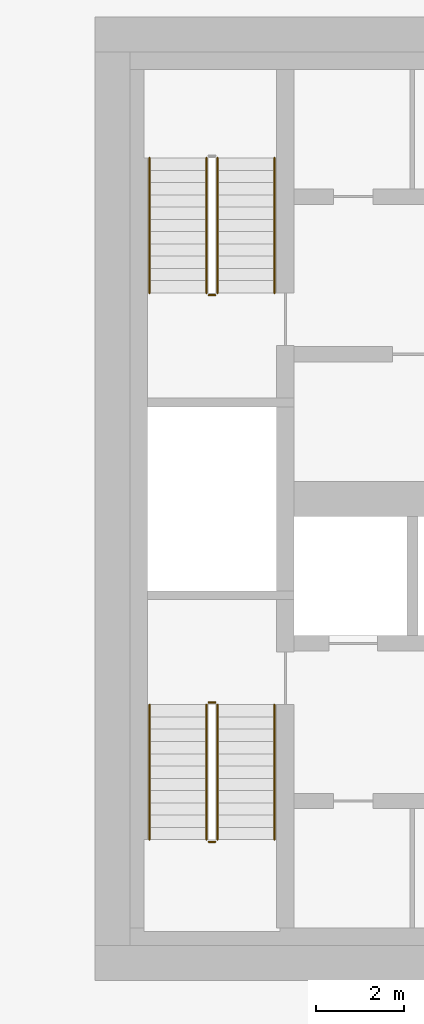
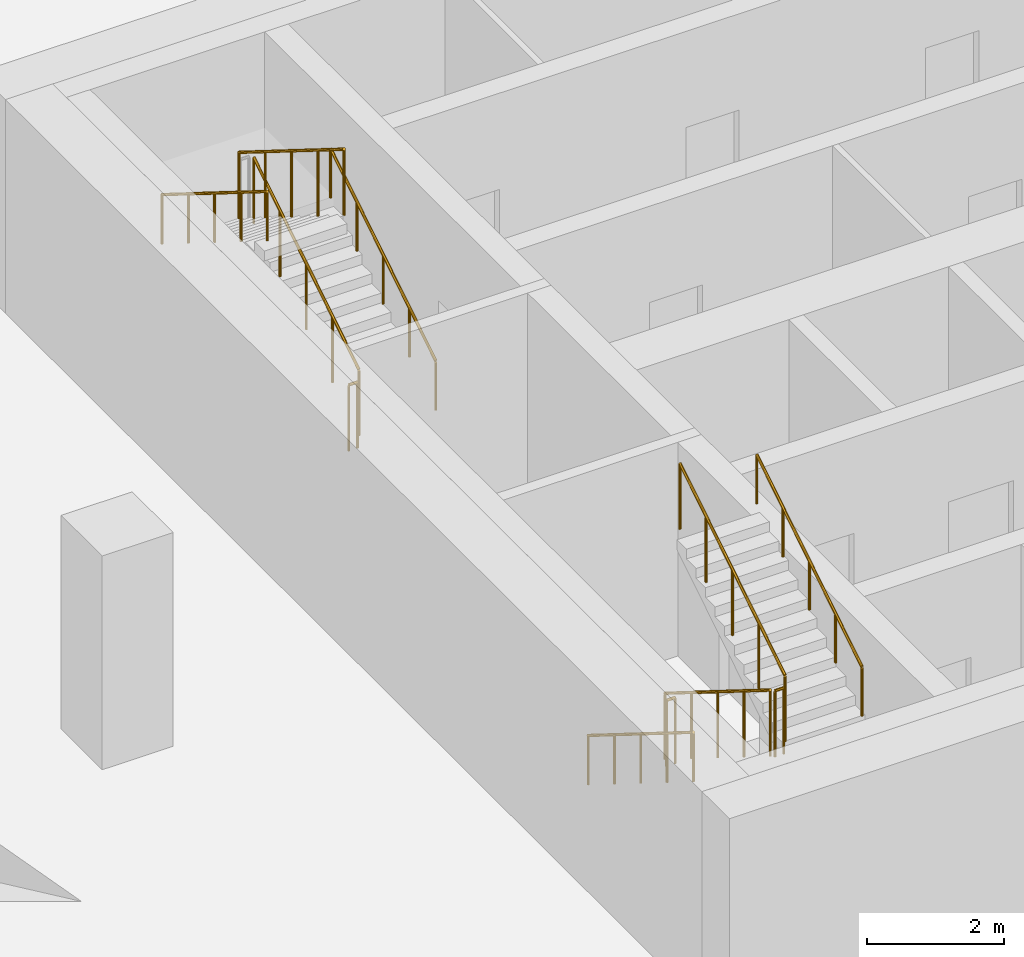
# One storey, part 16 of 19: 11 railings.
"""IFC4 building model written with IfcOpenShell, lengths in metres."""

from ifc_helpers import new_model, si_unit, direction, frame, origin, origin_2d, place, context, subcontext, project, spatial, circle, extrude, material, type_object, element, save


model = new_model("IFC4")

# Units and contexts
model_context = context("Model", 3, precision=1e-05, world=origin(), true_north=direction((0.0, 1.0)))
body_context = subcontext(model_context, "Body", "Model", "MODEL_VIEW")
ifc_project = project(units=[si_unit("LENGTHUNIT", "METRE"), si_unit("AREAUNIT", "SQUARE_METRE"), si_unit("VOLUMEUNIT", "CUBIC_METRE"), si_unit("PLANEANGLEUNIT", "RADIAN"), si_unit("MASSUNIT", "GRAM", prefix="KILO")], contexts=[model_context])

# Site, building, storey
site_placement = place(None, origin())
site = spatial("IfcSite", under=ifc_project, at=site_placement, CompositionType="ELEMENT")
building_placement = place(site_placement, origin())
building = spatial("IfcBuilding", under=site, at=building_placement, Name="Dongbaek Canopy Tower", CompositionType="ELEMENT")
storey_placement = place(building_placement, frame((0.0, 0.0, 207.199951171875)))
storey = spatial("IfcBuildingStorey", under=building, at=storey_placement, Name="L43", CompositionType="ELEMENT", Elevation=207.199951171875)

# Railings
ifc_material_1 = material(Name="Stainless steel tube and balusters", Category="steel")
railing_type_1 = type_object("IfcRailingType", Name="Stair guard 1200", PredefinedType="GUARDRAIL", material=ifc_material_1)
railing_1_placement = place(storey_placement, frame((-11.199951171875, 4.699951171875, 0.175048828125)))
element("IfcRailing", 1, at=railing_1_placement, inside=storey, type_object=railing_type_1, Name="L43 ST-C stair guard 1", PredefinedType="GUARDRAIL", context=body_context, shape_type="SweptSolid", body=[
    extrude(circle(Radius=0.02392578125, at=origin_2d()), frame((0.0, 0.0, 1.17578125), z_axis=(0.0, 0.847998304005, 0.529998940003), x_axis=(-1.0, 0.0, 0.0)), (0.0, 0.0, 1.0), 3.632080078125),
    extrude(circle(Radius=0.02099609375, at=origin_2d()), origin(), (0.0, 0.0, 1.0), 1.15185546875),
    extrude(circle(Radius=0.02099609375, at=origin_2d()), frame((0.0, 0.77001953125, 0.481201171875)), (0.0, 0.0, 1.0), 1.15185546875),
    extrude(circle(Radius=0.02099609375, at=origin_2d()), frame((0.0, 1.5400390625, 0.96240234375)), (0.0, 0.0, 1.0), 1.15185546875),
    extrude(circle(Radius=0.02099609375, at=origin_2d()), frame((0.0, 2.31005859375, 1.44384765625)), (0.0, 0.0, 1.0), 1.15185546875),
    extrude(circle(Radius=0.02099609375, at=origin_2d()), frame((0.0, 3.080078125, 1.925048828125)), (0.0, 0.0, 1.0), 1.15185546875),
])
railing_2_placement = place(storey_placement, frame((-11.449951171875, 7.780029296875, 2.275146484375)))
element("IfcRailing", 2, at=railing_2_placement, inside=storey, type_object=railing_type_1, Name="L43 ST-C stair guard 3", PredefinedType="GUARDRAIL", context=body_context, shape_type="SweptSolid", body=[
    extrude(circle(Radius=0.02392578125, at=origin_2d()), frame((0.0, 0.0, 1.17578125), z_axis=(0.0, -0.848028513186, 0.529950602248), x_axis=(1.0, 0.0, 0.0)), (0.0, 0.0, 1.0), 3.632080078125),
    extrude(circle(Radius=0.02099609375, at=origin_2d()), origin(), (0.0, 0.0, 1.0), 1.15185546875),
    extrude(circle(Radius=0.02099609375, at=origin_2d()), frame((0.0, -0.77001953125, 0.481201171875)), (0.0, 0.0, 1.0), 1.15185546875),
    extrude(circle(Radius=0.02099609375, at=origin_2d()), frame((0.0, -1.5400390625, 0.96240234375)), (0.0, 0.0, 1.0), 1.15185546875),
    extrude(circle(Radius=0.02099609375, at=origin_2d()), frame((0.0, -2.31005859375, 1.443603515625)), (0.0, 0.0, 1.0), 1.15185546875),
    extrude(circle(Radius=0.02099609375, at=origin_2d()), frame((0.0, -3.080078125, 1.9248046875)), (0.0, 0.0, 1.0), 1.15185546875),
])
railing_3_placement = place(storey_placement, frame((-11.25, 4.64990234375, 0.0)))
element("IfcRailing", 3, at=railing_3_placement, inside=storey, type_object=railing_type_1, Name="L43 ST-C stair guard 4", PredefinedType="GUARDRAIL", context=body_context, shape_type="SweptSolid", body=[
    extrude(circle(Radius=0.02392578125, at=origin_2d()), frame((0.0, 0.0, 1.17578125), z_axis=(-1.0, 0.0, 0.0), x_axis=(0.0, -1.0, 0.0)), (0.0, 0.0, 1.0), 0.14990234375),
    extrude(circle(Radius=0.02099609375, at=origin_2d()), origin(), (0.0, 0.0, 1.0), 1.15185546875),
    extrude(circle(Radius=0.02099609375, at=origin_2d()), frame((-0.14990234375, 0.0, 0.0)), (0.0, 0.0, 1.0), 1.15185546875),
])
railing_4_placement = place(storey_placement, frame((-11.449951171875, -4.699951171875, 0.175048828125)))
element("IfcRailing", 4, at=railing_4_placement, inside=storey, type_object=railing_type_1, Name="L43 ST-D stair guard 1", PredefinedType="GUARDRAIL", context=body_context, shape_type="SweptSolid", body=[
    extrude(circle(Radius=0.02392578125, at=origin_2d()), frame((0.0, 0.0, 1.17578125), z_axis=(0.0, -0.847998304005, 0.529998940003), x_axis=(1.0, 0.0, 0.0)), (0.0, 0.0, 1.0), 3.632080078125),
    extrude(circle(Radius=0.02099609375, at=origin_2d()), origin(), (0.0, 0.0, 1.0), 1.15185546875),
    extrude(circle(Radius=0.02099609375, at=origin_2d()), frame((0.0, -0.77001953125, 0.481201171875)), (0.0, 0.0, 1.0), 1.15185546875),
    extrude(circle(Radius=0.02099609375, at=origin_2d()), frame((0.0, -1.5400390625, 0.96240234375)), (0.0, 0.0, 1.0), 1.15185546875),
    extrude(circle(Radius=0.02099609375, at=origin_2d()), frame((0.0, -2.31005859375, 1.44384765625)), (0.0, 0.0, 1.0), 1.15185546875),
    extrude(circle(Radius=0.02099609375, at=origin_2d()), frame((0.0, -3.080078125, 1.925048828125)), (0.0, 0.0, 1.0), 1.15185546875),
])
railing_5_placement = place(storey_placement, frame((-11.39990234375, -7.830078125, 2.10009765625)))
element("IfcRailing", 5, at=railing_5_placement, inside=storey, type_object=railing_type_1, Name="L43 ST-D stair guard 2", PredefinedType="GUARDRAIL", context=body_context, shape_type="SweptSolid", body=[
    extrude(circle(Radius=0.02392578125, at=origin_2d()), frame((0.0, 0.0, 1.17578125), z_axis=(1.0, 0.0, 0.0), x_axis=(0.0, 1.0, 0.0)), (0.0, 0.0, 1.0), 0.14990234375),
    extrude(circle(Radius=0.02099609375, at=origin_2d()), origin(), (0.0, 0.0, 1.0), 1.15185546875),
    extrude(circle(Radius=0.02099609375, at=origin_2d()), frame((0.14990234375, 0.0, 0.0)), (0.0, 0.0, 1.0), 1.15185546875),
])
railing_6_placement = place(storey_placement, frame((-11.199951171875, -7.780029296875, 2.275146484375)))
element("IfcRailing", 6, at=railing_6_placement, inside=storey, type_object=railing_type_1, Name="L43 ST-D stair guard 3", PredefinedType="GUARDRAIL", context=body_context, shape_type="SweptSolid", body=[
    extrude(circle(Radius=0.02392578125, at=origin_2d()), frame((0.0, 0.0, 1.17578125), z_axis=(0.0, 0.848028513186, 0.529950602248), x_axis=(-1.0, 0.0, 0.0)), (0.0, 0.0, 1.0), 3.632080078125),
    extrude(circle(Radius=0.02099609375, at=origin_2d()), origin(), (0.0, 0.0, 1.0), 1.15185546875),
    extrude(circle(Radius=0.02099609375, at=origin_2d()), frame((0.0, 0.77001953125, 0.481201171875)), (0.0, 0.0, 1.0), 1.15185546875),
    extrude(circle(Radius=0.02099609375, at=origin_2d()), frame((0.0, 1.5400390625, 0.96240234375)), (0.0, 0.0, 1.0), 1.15185546875),
    extrude(circle(Radius=0.02099609375, at=origin_2d()), frame((0.0, 2.31005859375, 1.443603515625)), (0.0, 0.0, 1.0), 1.15185546875),
    extrude(circle(Radius=0.02099609375, at=origin_2d()), frame((0.0, 3.080078125, 1.9248046875)), (0.0, 0.0, 1.0), 1.15185546875),
])
railing_7_placement = place(storey_placement, frame((-11.39990234375, -4.64990234375, 0.0)))
element("IfcRailing", 7, at=railing_7_placement, inside=storey, type_object=railing_type_1, Name="L43 ST-D stair guard 4", PredefinedType="GUARDRAIL", context=body_context, shape_type="SweptSolid", body=[
    extrude(circle(Radius=0.02392578125, at=origin_2d()), frame((0.0, 0.0, 1.17578125), z_axis=(1.0, 0.0, 0.0), x_axis=(0.0, 1.0, 0.0)), (0.0, 0.0, 1.0), 0.14990234375),
    extrude(circle(Radius=0.02099609375, at=origin_2d()), origin(), (0.0, 0.0, 1.0), 1.15185546875),
    extrude(circle(Radius=0.02099609375, at=origin_2d()), frame((0.14990234375, 0.0, 0.0)), (0.0, 0.0, 1.0), 1.15185546875),
])
ifc_material_2 = material(Name="Stainless steel tube", Category="steel")
railing_type_2 = type_object("IfcRailingType", Name="Stair handrail 900", PredefinedType="HANDRAIL", material=ifc_material_2)
railing_8_placement = place(storey_placement, frame((-9.89990234375, 4.699951171875, 0.175048828125)))
element("IfcRailing", 8, at=railing_8_placement, inside=storey, type_object=railing_type_2, Name="L43 ST-C stair handrail 1", PredefinedType="HANDRAIL", context=body_context, shape_type="SweptSolid", body=[
    extrude(circle(Radius=0.02392578125, at=origin_2d()), frame((0.0, 0.0, 0.8759765625), z_axis=(0.0, 0.847998304005, 0.529998940003), x_axis=(-1.0, 0.0, 0.0)), (0.0, 0.0, 1.0), 3.632080078125),
    extrude(circle(Radius=0.02099609375, at=origin_2d()), origin(), (0.0, 0.0, 1.0), 0.851806640625),
    extrude(circle(Radius=0.02099609375, at=origin_2d()), frame((0.0, 0.77001953125, 0.481201171875)), (0.0, 0.0, 1.0), 0.851806640625),
    extrude(circle(Radius=0.02099609375, at=origin_2d()), frame((0.0, 1.5400390625, 0.96240234375)), (0.0, 0.0, 1.0), 0.851806640625),
    extrude(circle(Radius=0.02099609375, at=origin_2d()), frame((0.0, 2.31005859375, 1.44384765625)), (0.0, 0.0, 1.0), 0.851806640625),
    extrude(circle(Radius=0.02099609375, at=origin_2d()), frame((0.0, 3.080078125, 1.925048828125)), (0.0, 0.0, 1.0), 0.851806640625),
])
railing_9_placement = place(storey_placement, frame((-12.75, 7.780029296875, 2.275146484375)))
element("IfcRailing", 9, at=railing_9_placement, inside=storey, type_object=railing_type_2, Name="L43 ST-C stair handrail 2", PredefinedType="HANDRAIL", context=body_context, shape_type="SweptSolid", body=[
    extrude(circle(Radius=0.02392578125, at=origin_2d()), frame((0.0, 0.0, 0.8759765625), z_axis=(0.0, -0.848028513186, 0.529950602248), x_axis=(1.0, 0.0, 0.0)), (0.0, 0.0, 1.0), 3.632080078125),
    extrude(circle(Radius=0.02099609375, at=origin_2d()), origin(), (0.0, 0.0, 1.0), 0.851806640625),
    extrude(circle(Radius=0.02099609375, at=origin_2d()), frame((0.0, -0.77001953125, 0.481201171875)), (0.0, 0.0, 1.0), 0.851806640625),
    extrude(circle(Radius=0.02099609375, at=origin_2d()), frame((0.0, -1.5400390625, 0.96240234375)), (0.0, 0.0, 1.0), 0.851806640625),
    extrude(circle(Radius=0.02099609375, at=origin_2d()), frame((0.0, -2.31005859375, 1.443603515625)), (0.0, 0.0, 1.0), 0.851806640625),
    extrude(circle(Radius=0.02099609375, at=origin_2d()), frame((0.0, -3.080078125, 1.9248046875)), (0.0, 0.0, 1.0), 0.851806640625),
])
railing_10_placement = place(storey_placement, frame((-12.75, -4.699951171875, 0.175048828125)))
element("IfcRailing", 10, at=railing_10_placement, inside=storey, type_object=railing_type_2, Name="L43 ST-D stair handrail 1", PredefinedType="HANDRAIL", context=body_context, shape_type="SweptSolid", body=[
    extrude(circle(Radius=0.02392578125, at=origin_2d()), frame((0.0, 0.0, 0.8759765625), z_axis=(0.0, -0.847998304005, 0.529998940003), x_axis=(1.0, 0.0, 0.0)), (0.0, 0.0, 1.0), 3.632080078125),
    extrude(circle(Radius=0.02099609375, at=origin_2d()), origin(), (0.0, 0.0, 1.0), 0.851806640625),
    extrude(circle(Radius=0.02099609375, at=origin_2d()), frame((0.0, -0.77001953125, 0.481201171875)), (0.0, 0.0, 1.0), 0.851806640625),
    extrude(circle(Radius=0.02099609375, at=origin_2d()), frame((0.0, -1.5400390625, 0.96240234375)), (0.0, 0.0, 1.0), 0.851806640625),
    extrude(circle(Radius=0.02099609375, at=origin_2d()), frame((0.0, -2.31005859375, 1.44384765625)), (0.0, 0.0, 1.0), 0.851806640625),
    extrude(circle(Radius=0.02099609375, at=origin_2d()), frame((0.0, -3.080078125, 1.925048828125)), (0.0, 0.0, 1.0), 0.851806640625),
])
railing_11_placement = place(storey_placement, frame((-9.89990234375, -7.780029296875, 2.275146484375)))
element("IfcRailing", 11, at=railing_11_placement, inside=storey, type_object=railing_type_2, Name="L43 ST-D stair handrail 2", PredefinedType="HANDRAIL", context=body_context, shape_type="SweptSolid", body=[
    extrude(circle(Radius=0.02392578125, at=origin_2d()), frame((0.0, 0.0, 0.8759765625), z_axis=(0.0, 0.848028513186, 0.529950602248), x_axis=(-1.0, 0.0, 0.0)), (0.0, 0.0, 1.0), 3.632080078125),
    extrude(circle(Radius=0.02099609375, at=origin_2d()), origin(), (0.0, 0.0, 1.0), 0.851806640625),
    extrude(circle(Radius=0.02099609375, at=origin_2d()), frame((0.0, 0.77001953125, 0.481201171875)), (0.0, 0.0, 1.0), 0.851806640625),
    extrude(circle(Radius=0.02099609375, at=origin_2d()), frame((0.0, 1.5400390625, 0.96240234375)), (0.0, 0.0, 1.0), 0.851806640625),
    extrude(circle(Radius=0.02099609375, at=origin_2d()), frame((0.0, 2.31005859375, 1.443603515625)), (0.0, 0.0, 1.0), 0.851806640625),
    extrude(circle(Radius=0.02099609375, at=origin_2d()), frame((0.0, 3.080078125, 1.9248046875)), (0.0, 0.0, 1.0), 0.851806640625),
])

save(model, "model.ifc")
